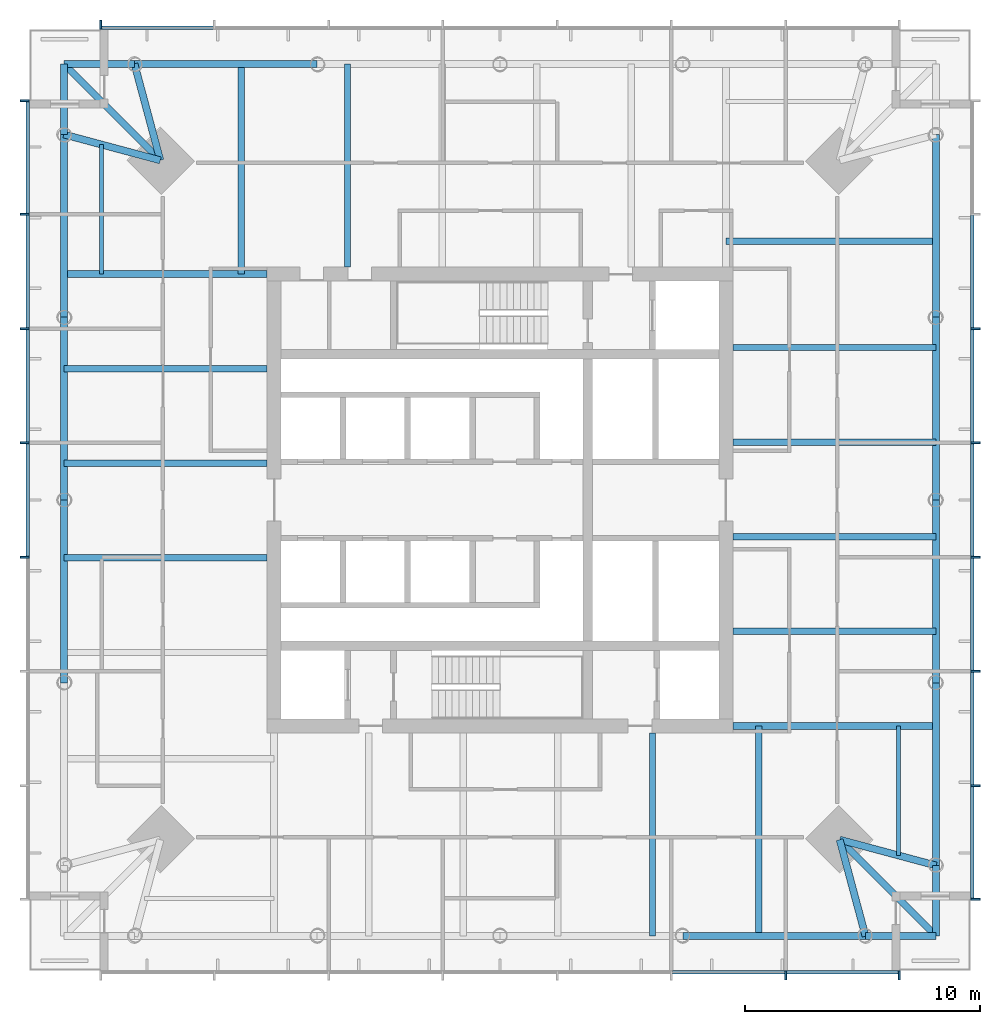
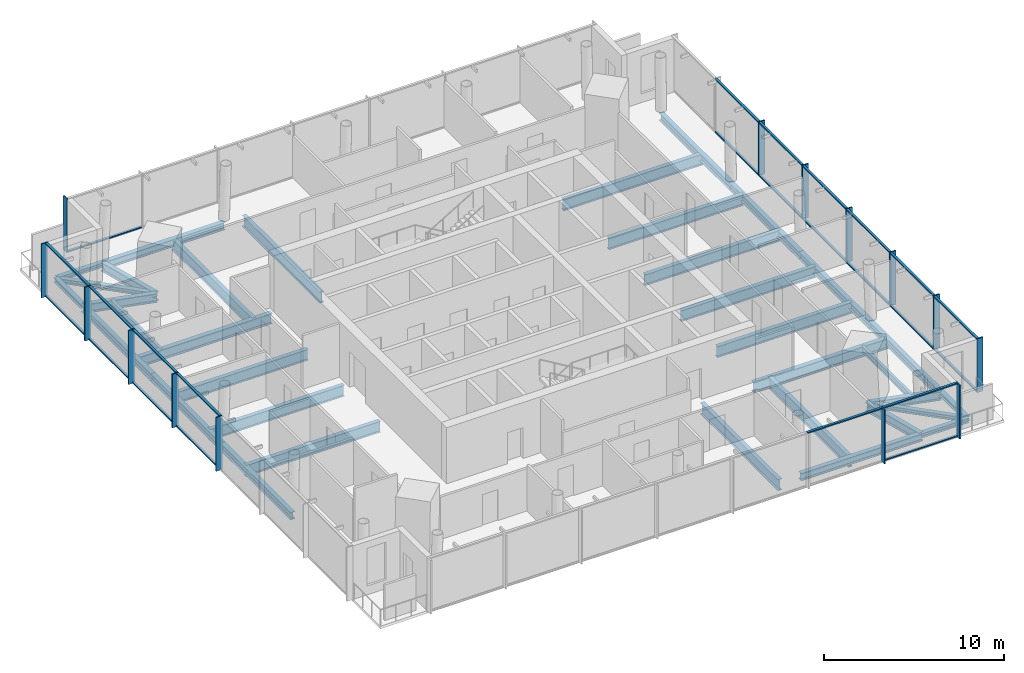
# One storey, part 2 of 9: 38 members, 35 beams, 4 elements without a shape of their own.
"""IFC4 building model written with IfcOpenShell, lengths in metres."""

from ifc_helpers import new_model, si_unit, direction, frame, origin, origin_2d, place, context, subcontext, project, spatial, rectangle, i_section, extrude, material, material_profile, profile_set, type_object, element, aggregate, save


model = new_model("IFC4")

# Units and contexts
model_context = context("Model", 3, precision=1e-05, world=origin(), true_north=direction((0.0, 1.0)))
body_context = subcontext(model_context, "Body", "Model", "MODEL_VIEW")
ifc_project = project(units=[si_unit("LENGTHUNIT", "METRE"), si_unit("AREAUNIT", "SQUARE_METRE"), si_unit("VOLUMEUNIT", "CUBIC_METRE"), si_unit("PLANEANGLEUNIT", "RADIAN"), si_unit("MASSUNIT", "GRAM", prefix="KILO")], contexts=[model_context])

# Site, building, storey
site_placement = place(None, origin())
site = spatial("IfcSite", under=ifc_project, at=site_placement, CompositionType="ELEMENT")
building_placement = place(site_placement, origin())
building = spatial("IfcBuilding", under=site, at=building_placement, Name="Ostroluk Exchange", CompositionType="ELEMENT")
storey_placement = place(building_placement, frame((0.0, 0.0, 192.0)))
storey = spatial("IfcBuildingStorey", under=building, at=storey_placement, Name="L49", CompositionType="ELEMENT", Elevation=192.0)

# Beams
ifc_material_1 = material(Name="Steel S355", Category="steel")
ifc_material_profile_1 = material_profile(ifc_material_1, i_section(OverallWidth=0.300048828125, OverallDepth=0.300048828125, WebThickness=0.010986328125, FlangeThickness=0.01904296875, FilletRadius=0.027099609375, at=origin_2d()), Name="HEB 300")
ifc_profile_set_1 = profile_set([ifc_material_profile_1], Name="Steel S355")
beam_type_1 = type_object("IfcBeamType", Name="Balcony beam HEB 300", PredefinedType="BEAM", material=ifc_profile_set_1)
for number, where, z_axis, x_axis, name in (
    (1, (29.46435546875, 64.53564453125, -0.330078125), (-1.0, 0.0, 0.0), (0.0, -1.0, 0.0), "T1 north balcony beam a"),
    (2, (26.46435546875, 61.53564453125, -0.330078125), (0.0, 1.0, 0.0), (-1.0, 0.0, 0.0), "T1 north balcony beam b"),
):
    element("IfcBeam", number, at=place(storey_placement, frame(where, z_axis=z_axis, x_axis=x_axis)), inside=storey, type_object=beam_type_1, Name=name, PredefinedType="BEAM", context=body_context, shape_type="SweptSolid", body=[
        extrude(i_section(OverallWidth=0.300048828125, OverallDepth=0.300048828125, WebThickness=0.010986328125, FlangeThickness=0.01904296875, FilletRadius=0.027099609375, at=origin_2d()), origin(), (0.0, 0.0, 1.0), 3.0),
    ])
beam_1_placement = place(storey_placement, frame((30.564208984375, 60.435791015625, -0.330078125), z_axis=(-0.707106781187, 0.707106781187, 0.0), x_axis=(-0.707106781187, -0.707106781187, 0.0)))
element("IfcBeam", 3, at=beam_1_placement, inside=storey, type_object=beam_type_1, Name="T1 north balcony beam c", PredefinedType="BEAM", context=body_context, shape_type="SweptSolid", body=[
    extrude(i_section(OverallWidth=0.300048828125, OverallDepth=0.300048828125, WebThickness=0.010986328125, FlangeThickness=0.01904296875, FilletRadius=0.027099609375, at=origin_2d()), origin(), (0.0, 0.0, 1.0), 5.798095703125),
])
for number, where, z_axis, x_axis, name in (
    (4, (60.53564453125, 27.46435546875, -0.330078125), (1.0, 0.0, 0.0), (0.0, 1.0, 0.0), "T1 south balcony beam a"),
    (5, (63.53564453125, 30.46435546875, -0.330078125), (0.0, -1.0, 0.0), (1.0, 0.0, 0.0), "T1 south balcony beam b"),
):
    element("IfcBeam", number, at=place(storey_placement, frame(where, z_axis=z_axis, x_axis=x_axis)), inside=storey, type_object=beam_type_1, Name=name, PredefinedType="BEAM", context=body_context, shape_type="SweptSolid", body=[
        extrude(i_section(OverallWidth=0.300048828125, OverallDepth=0.300048828125, WebThickness=0.010986328125, FlangeThickness=0.01904296875, FilletRadius=0.027099609375, at=origin_2d()), origin(), (0.0, 0.0, 1.0), 3.0),
    ])
beam_2_placement = place(storey_placement, frame((59.435791015625, 31.564208984375, -0.330078125), z_axis=(0.707106781187, -0.707106781187, 0.0), x_axis=(0.707106781187, 0.707106781187, 0.0)))
element("IfcBeam", 6, at=beam_2_placement, inside=storey, type_object=beam_type_1, Name="T1 south balcony beam c", PredefinedType="BEAM", context=body_context, shape_type="SweptSolid", body=[
    extrude(i_section(OverallWidth=0.300048828125, OverallDepth=0.300048828125, WebThickness=0.010986328125, FlangeThickness=0.01904296875, FilletRadius=0.027099609375, at=origin_2d()), origin(), (0.0, 0.0, 1.0), 5.798095703125),
])
ifc_material_2 = material(Name="Steel S355", Category="steel")
ifc_material_profile_2 = material_profile(ifc_material_2, i_section(OverallWidth=0.300048828125, OverallDepth=0.60009765625, WebThickness=0.015380859375, FlangeThickness=0.030029296875, FilletRadius=0.027099609375, at=origin_2d()), Name="HEB 600")
ifc_profile_set_2 = profile_set([ifc_material_profile_2], Name="Steel S355")
beam_type_2 = type_object("IfcBeamType", Name="Corner edge beam HEB 600", PredefinedType="SPANDREL", material=ifc_profile_set_2)
for number, where, z_axis, x_axis, name in (
    (7, (30.564208984375, 60.435791015625, -0.47998046875), (-0.259105011038, 0.965849156574, 0.0), (-0.965849156574, -0.259105011038, 0.0), "T1 north corner edge beam a"),
    (8, (30.564208984375, 60.435791015625, -0.47998046875), (-0.965849156574, 0.259105011038, 0.0), (-0.259105011038, -0.965849156574, 0.0), "T1 north corner edge beam b"),
    (9, (59.435791015625, 31.564208984375, -0.47998046875), (0.259105011038, -0.965849156574, 0.0), (0.965849156574, 0.259105011038, 0.0), "T1 south corner edge beam a"),
    (10, (59.435791015625, 31.564208984375, -0.47998046875), (0.965849156574, -0.259105011038, 0.0), (0.259105011038, 0.965849156574, 0.0), "T1 south corner edge beam b"),
):
    element("IfcBeam", number, at=place(storey_placement, frame(where, z_axis=z_axis, x_axis=x_axis)), inside=storey, type_object=beam_type_2, Name=name, PredefinedType="SPANDREL", context=body_context, shape_type="SweptSolid", body=[
        extrude(i_section(OverallWidth=0.300048828125, OverallDepth=0.60009765625, WebThickness=0.015380859375, FlangeThickness=0.030029296875, FilletRadius=0.027099609375, at=origin_2d()), origin(), (0.0, 0.0, 1.0), 4.244873046875),
    ])
ifc_material_3 = material(Name="Steel S355", Category="steel")
ifc_material_profile_3 = material_profile(ifc_material_3, i_section(OverallWidth=0.179931640625, OverallDepth=0.39990234375, WebThickness=0.008544921875, FlangeThickness=0.013427734375, FilletRadius=0.02099609375, at=origin_2d()), Name="IPE 400")
ifc_profile_set_3 = profile_set([ifc_material_profile_3], Name="Steel S355")
beam_type_3 = type_object("IfcBeamType", Name="Floor beam IPE 400", PredefinedType="BEAM", material=ifc_profile_set_3)
for number, where, z_axis, x_axis, name in (
    (11, (28.064208984375, 55.60009765625, -0.3798828125), (0.0, 1.0, 0.0), (-1.0, 0.0, 0.0), "T1 north floor beam 6"),
    (12, (61.935791015625, 36.39990234375, -0.3798828125), (0.0, -1.0, 0.0), (1.0, 0.0, 0.0), "T1 south floor beam 6"),
):
    element("IfcBeam", number, at=place(storey_placement, frame(where, z_axis=z_axis, x_axis=x_axis)), inside=storey, type_object=beam_type_3, Name=name, PredefinedType="BEAM", context=body_context, shape_type="SweptSolid", body=[
        extrude(i_section(OverallWidth=0.179931640625, OverallDepth=0.39990234375, WebThickness=0.008544921875, FlangeThickness=0.013427734375, FilletRadius=0.02099609375, at=origin_2d()), origin(), (0.0, 0.0, 1.0), 5.50634765625),
    ])
ifc_material_4 = material(Name="Steel S355", Category="steel")
ifc_material_profile_4 = material_profile(ifc_material_4, i_section(OverallWidth=0.264892578125, OverallDepth=0.7529296875, WebThickness=0.01318359375, FlangeThickness=0.01708984375, FilletRadius=0.01708984375, at=origin_2d()), Name="IPE 750x147")
ifc_profile_set_4 = profile_set([ifc_material_profile_4], Name="Steel S355")
beam_type_4 = type_object("IfcBeamType", Name="Floor beam IPE 750x147", PredefinedType="BEAM", material=ifc_profile_set_4)
for number, where, z_axis, x_axis, name in (
    (13, (54.89990234375, 40.41943359375, -0.556396484375), (1.0, 0.0, 0.0), (0.0, 1.0, 0.0), "T1 east floor beam 1"),
    (14, (54.89990234375, 44.438720703125, -0.556396484375), (1.0, 0.0, 0.0), (0.0, 1.0, 0.0), "T1 east floor beam 2"),
    (15, (54.89990234375, 48.458251953125, -0.556396484375), (1.0, 0.0, 0.0), (0.0, 1.0, 0.0), "T1 east floor beam 3"),
    (16, (54.89990234375, 52.4775390625, -0.556396484375), (1.0, 0.0, 0.0), (0.0, 1.0, 0.0), "T1 east floor beam 4"),
):
    element("IfcBeam", number, at=place(storey_placement, frame(where, z_axis=z_axis, x_axis=x_axis)), inside=storey, type_object=beam_type_4, Name=name, PredefinedType="BEAM", context=body_context, shape_type="SweptSolid", body=[
        extrude(i_section(OverallWidth=0.264892578125, OverallDepth=0.7529296875, WebThickness=0.01318359375, FlangeThickness=0.01708984375, FilletRadius=0.01708984375, at=origin_2d()), origin(), (0.0, 0.0, 1.0), 8.6357421875),
    ])
beam_3_placement = place(storey_placement, frame((54.60009765625, 57.0, -0.556396484375), z_axis=(1.0, 0.0, 0.0), x_axis=(0.0, 1.0, 0.0)))
element("IfcBeam", 17, at=beam_3_placement, inside=storey, type_object=beam_type_4, Name="T1 east floor beam 5", PredefinedType="BEAM", context=body_context, shape_type="SweptSolid", body=[
    extrude(i_section(OverallWidth=0.264892578125, OverallDepth=0.7529296875, WebThickness=0.01318359375, FlangeThickness=0.01708984375, FilletRadius=0.01708984375, at=origin_2d()), origin(), (0.0, 0.0, 1.0), 8.935546875),
])
beam_4_placement = place(storey_placement, frame((38.5224609375, 55.89990234375, -0.556396484375), z_axis=(0.0, 1.0, 0.0), x_axis=(-1.0, 0.0, 0.0)))
element("IfcBeam", 18, at=beam_4_placement, inside=storey, type_object=beam_type_4, Name="T1 north floor beam 4", PredefinedType="BEAM", context=body_context, shape_type="SweptSolid", body=[
    extrude(i_section(OverallWidth=0.264892578125, OverallDepth=0.7529296875, WebThickness=0.01318359375, FlangeThickness=0.01708984375, FilletRadius=0.01708984375, at=origin_2d()), origin(), (0.0, 0.0, 1.0), 8.6357421875),
])
beam_5_placement = place(storey_placement, frame((34.0, 55.60009765625, -0.556396484375), z_axis=(0.0, 1.0, 0.0), x_axis=(-1.0, 0.0, 0.0)))
element("IfcBeam", 19, at=beam_5_placement, inside=storey, type_object=beam_type_4, Name="T1 north floor beam 5", PredefinedType="BEAM", context=body_context, shape_type="SweptSolid", body=[
    extrude(i_section(OverallWidth=0.264892578125, OverallDepth=0.7529296875, WebThickness=0.01318359375, FlangeThickness=0.01708984375, FilletRadius=0.01708984375, at=origin_2d()), origin(), (0.0, 0.0, 1.0), 8.935546875),
])
for number, where, z_axis, x_axis, name in (
    (20, (35.10009765625, 51.58056640625, -0.556396484375), (-1.0, 0.0, 0.0), (0.0, -1.0, 0.0), "T1 west floor beam 1"),
    (21, (35.10009765625, 47.561279296875, -0.556396484375), (-1.0, 0.0, 0.0), (0.0, -1.0, 0.0), "T1 west floor beam 2"),
    (22, (35.10009765625, 43.541748046875, -0.556396484375), (-1.0, 0.0, 0.0), (0.0, -1.0, 0.0), "T1 west floor beam 3"),
    (23, (51.4775390625, 36.10009765625, -0.556396484375), (0.0, -1.0, 0.0), (1.0, 0.0, 0.0), "T1 south floor beam 4"),
):
    element("IfcBeam", number, at=place(storey_placement, frame(where, z_axis=z_axis, x_axis=x_axis)), inside=storey, type_object=beam_type_4, Name=name, PredefinedType="BEAM", context=body_context, shape_type="SweptSolid", body=[
        extrude(i_section(OverallWidth=0.264892578125, OverallDepth=0.7529296875, WebThickness=0.01318359375, FlangeThickness=0.01708984375, FilletRadius=0.01708984375, at=origin_2d()), origin(), (0.0, 0.0, 1.0), 8.6357421875),
    ])
beam_6_placement = place(storey_placement, frame((56.0, 36.39990234375, -0.556396484375), z_axis=(0.0, -1.0, 0.0), x_axis=(1.0, 0.0, 0.0)))
element("IfcBeam", 24, at=beam_6_placement, inside=storey, type_object=beam_type_4, Name="T1 south floor beam 5", PredefinedType="BEAM", context=body_context, shape_type="SweptSolid", body=[
    extrude(i_section(OverallWidth=0.264892578125, OverallDepth=0.7529296875, WebThickness=0.01318359375, FlangeThickness=0.01708984375, FilletRadius=0.01708984375, at=origin_2d()), origin(), (0.0, 0.0, 1.0), 8.935546875),
])
ifc_material_5 = material(Name="Steel S355", Category="steel")
ifc_material_profile_5 = material_profile(ifc_material_5, i_section(OverallWidth=0.300048828125, OverallDepth=0.699951171875, WebThickness=0.01708984375, FlangeThickness=0.031982421875, FilletRadius=0.027099609375, at=origin_2d()), Name="HEB 700")
ifc_profile_set_5 = profile_set([ifc_material_profile_5], Name="Steel S355")
beam_type_5 = type_object("IfcBeamType", Name="Girder HEB 700", PredefinedType="BEAM", material=ifc_profile_set_5)
for number, where, z_axis, x_axis, name in (
    (25, (35.10009765625, 55.60009765625, -0.530029296875), (-1.0, 0.0, 0.0), (0.0, -1.0, 0.0), "T1 north girder"),
    (26, (54.89990234375, 36.39990234375, -0.530029296875), (1.0, 0.0, 0.0), (0.0, 1.0, 0.0), "T1 south girder"),
):
    element("IfcBeam", number, at=place(storey_placement, frame(where, z_axis=z_axis, x_axis=x_axis)), inside=storey, type_object=beam_type_5, Name=name, PredefinedType="BEAM", context=body_context, shape_type="SweptSolid", body=[
        extrude(i_section(OverallWidth=0.300048828125, OverallDepth=0.699951171875, WebThickness=0.01708984375, FlangeThickness=0.031982421875, FilletRadius=0.027099609375, at=origin_2d()), origin(), (0.0, 0.0, 1.0), 8.6357421875),
    ])
ifc_material_6 = material(Name="Steel S355", Category="steel")
ifc_material_profile_6 = material_profile(ifc_material_6, i_section(OverallWidth=0.300048828125, OverallDepth=0.5, WebThickness=0.014404296875, FlangeThickness=0.028076171875, FilletRadius=0.027099609375, at=origin_2d()), Name="HEB 500")
ifc_profile_set_6 = profile_set([ifc_material_profile_6], Name="Steel S355")
beam_type_6 = type_object("IfcBeamType", Name="Moment-connected edge beam HEB 500", PredefinedType="SPANDREL", material=ifc_profile_set_6)
for number, where, z_axis, x_axis, name in (
    (27, (63.53564453125, 30.46435546875, -0.429931640625), (0.0, 1.0, 0.0), (-1.0, 0.0, 0.0), "T1 east edge beam 1"),
    (28, (63.53564453125, 38.232177734375, -0.429931640625), (0.0, 1.0, 0.0), (-1.0, 0.0, 0.0), "T1 east edge beam 2"),
    (29, (63.53564453125, 46.0, -0.429931640625), (0.0, 1.0, 0.0), (-1.0, 0.0, 0.0), "T1 east edge beam 3"),
    (30, (63.53564453125, 53.767822265625, -0.429931640625), (0.0, 1.0, 0.0), (-1.0, 0.0, 0.0), "T1 east edge beam 4"),
    (31, (37.232177734375, 64.53564453125, -0.429931640625), (-1.0, 0.0, 0.0), (0.0, -1.0, 0.0), "T1 north edge beam 4"),
    (32, (26.46435546875, 61.53564453125, -0.429931640625), (0.0, -1.0, 0.0), (1.0, 0.0, 0.0), "T1 west edge beam 1"),
    (33, (26.46435546875, 53.767822265625, -0.429931640625), (0.0, -1.0, 0.0), (1.0, 0.0, 0.0), "T1 west edge beam 2"),
    (34, (26.46435546875, 46.0, -0.429931640625), (0.0, -1.0, 0.0), (1.0, 0.0, 0.0), "T1 west edge beam 3"),
    (35, (52.767822265625, 27.46435546875, -0.429931640625), (1.0, 0.0, 0.0), (0.0, 1.0, 0.0), "T1 south edge beam 4"),
):
    element("IfcBeam", number, at=place(storey_placement, frame(where, z_axis=z_axis, x_axis=x_axis)), inside=storey, type_object=beam_type_6, Name=name, PredefinedType="SPANDREL", context=body_context, shape_type="SweptSolid", body=[
        extrude(i_section(OverallWidth=0.300048828125, OverallDepth=0.5, WebThickness=0.014404296875, FlangeThickness=0.028076171875, FilletRadius=0.027099609375, at=origin_2d()), origin(), (0.0, 0.0, 1.0), 7.767822265625),
    ])

# Curtain wall, members
ifc_material_7 = material(Name="Laminated clear glass", Category="glass")
curtain_wall_type = type_object("IfcCurtainWallType", Name="Office tower facade", PredefinedType="USERDEFINED", material=ifc_material_7)
curtain_wall_1_placement = place(storey_placement, origin())
curtain_wall_1 = element("IfcCurtainWall", 36, at=curtain_wall_1_placement, inside=storey, type_object=curtain_wall_type, Name="Office tower south facade L49", ObjectType="UNITISED CURTAIN WALL", PredefinedType="USERDEFINED")
ifc_material_8 = material(Name="Aluminium mullion", Category="aluminium")
ifc_material_profile_7 = material_profile(ifc_material_8, rectangle(XDim=0.14990234375, YDim=0.080078125, at=origin_2d()), Name="Sill transom 80 x 150")
ifc_profile_set_7 = profile_set([ifc_material_profile_7], Name="Aluminium mullion")
member_type_1 = type_object("IfcMemberType", Name="Sill transom 80 x 150", PredefinedType="USERDEFINED", material=ifc_profile_set_7)
member_1_placement = place(storey_placement, frame((52.32568359375, 25.925048828125, 3.610107421875), z_axis=(1.0, 0.0, 0.0), x_axis=(0.0, 1.0, 0.0)))
member_1 = element("IfcMember", 37, at=member_1_placement, type_object=member_type_1, Name="CW-O1 transom 6.2", ObjectType="TRANSOM", PredefinedType="USERDEFINED", context=body_context, shape_type="SweptSolid", body=[
    extrude(rectangle(XDim=0.14990234375, YDim=0.080078125, at=origin_2d()), origin(), (0.0, 0.0, 1.0), 4.777099609375),
])
member_2_placement = place(storey_placement, frame((57.182861328125, 25.925048828125, 0.0400390625), z_axis=(1.0, 0.0, 0.0), x_axis=(0.0, 1.0, 0.0)))
member_2 = element("IfcMember", 38, at=member_2_placement, type_object=member_type_1, Name="CW-O1 transom 7.1", ObjectType="TRANSOM", PredefinedType="USERDEFINED", context=body_context, shape_type="SweptSolid", body=[
    extrude(rectangle(XDim=0.14990234375, YDim=0.080078125, at=origin_2d()), origin(), (0.0, 0.0, 1.0), 4.737060546875),
])
member_3_placement = place(storey_placement, frame((57.182861328125, 25.925048828125, 3.610107421875), z_axis=(1.0, 0.0, 0.0), x_axis=(0.0, 1.0, 0.0)))
member_3 = element("IfcMember", 39, at=member_3_placement, type_object=member_type_1, Name="CW-O1 transom 7.2", ObjectType="TRANSOM", PredefinedType="USERDEFINED", context=body_context, shape_type="SweptSolid", body=[
    extrude(rectangle(XDim=0.14990234375, YDim=0.080078125, at=origin_2d()), origin(), (0.0, 0.0, 1.0), 4.737060546875),
])

curtain_wall_2_placement = place(storey_placement, origin())
curtain_wall_2 = element("IfcCurtainWall", 40, at=curtain_wall_2_placement, inside=storey, type_object=curtain_wall_type, Name="Office tower east facade L49", ObjectType="UNITISED CURTAIN WALL", PredefinedType="USERDEFINED")
member_4_placement = place(storey_placement, frame((65.074951171875, 29.080078125, 0.0400390625), z_axis=(0.0, 1.0, 0.0), x_axis=(-1.0, 0.0, 0.0)))
member_4 = element("IfcMember", 41, at=member_4_placement, type_object=member_type_1, Name="CW-O1 transom 1.1", ObjectType="TRANSOM", PredefinedType="USERDEFINED", context=body_context, shape_type="SweptSolid", body=[
    extrude(rectangle(XDim=0.14990234375, YDim=0.080078125, at=origin_2d()), origin(), (0.0, 0.0, 1.0), 4.737060546875),
])
member_5_placement = place(storey_placement, frame((65.074951171875, 29.080078125, 3.610107421875), z_axis=(0.0, 1.0, 0.0), x_axis=(-1.0, 0.0, 0.0)))
member_5 = element("IfcMember", 42, at=member_5_placement, type_object=member_type_1, Name="CW-O1 transom 1.2", ObjectType="TRANSOM", PredefinedType="USERDEFINED", context=body_context, shape_type="SweptSolid", body=[
    extrude(rectangle(XDim=0.14990234375, YDim=0.080078125, at=origin_2d()), origin(), (0.0, 0.0, 1.0), 4.737060546875),
])
member_6_placement = place(storey_placement, frame((65.074951171875, 33.897216796875, 0.0400390625), z_axis=(0.0, 1.0, 0.0), x_axis=(-1.0, 0.0, 0.0)))
member_6 = element("IfcMember", 43, at=member_6_placement, type_object=member_type_1, Name="CW-O1 transom 2.1", ObjectType="TRANSOM", PredefinedType="USERDEFINED", context=body_context, shape_type="SweptSolid", body=[
    extrude(rectangle(XDim=0.14990234375, YDim=0.080078125, at=origin_2d()), origin(), (0.0, 0.0, 1.0), 4.777099609375),
])
member_7_placement = place(storey_placement, frame((65.074951171875, 33.897216796875, 3.610107421875), z_axis=(0.0, 1.0, 0.0), x_axis=(-1.0, 0.0, 0.0)))
member_7 = element("IfcMember", 44, at=member_7_placement, type_object=member_type_1, Name="CW-O1 transom 2.2", ObjectType="TRANSOM", PredefinedType="USERDEFINED", context=body_context, shape_type="SweptSolid", body=[
    extrude(rectangle(XDim=0.14990234375, YDim=0.080078125, at=origin_2d()), origin(), (0.0, 0.0, 1.0), 4.777099609375),
])
member_8_placement = place(storey_placement, frame((65.074951171875, 38.75439453125, 0.0400390625), z_axis=(0.0, 1.0, 0.0), x_axis=(-1.0, 0.0, 0.0)))
member_8 = element("IfcMember", 45, at=member_8_placement, type_object=member_type_1, Name="CW-O1 transom 3.1", ObjectType="TRANSOM", PredefinedType="USERDEFINED", context=body_context, shape_type="SweptSolid", body=[
    extrude(rectangle(XDim=0.14990234375, YDim=0.080078125, at=origin_2d()), origin(), (0.0, 0.0, 1.0), 4.777099609375),
])
member_9_placement = place(storey_placement, frame((65.074951171875, 38.75439453125, 3.610107421875), z_axis=(0.0, 1.0, 0.0), x_axis=(-1.0, 0.0, 0.0)))
member_9 = element("IfcMember", 46, at=member_9_placement, type_object=member_type_1, Name="CW-O1 transom 3.2", ObjectType="TRANSOM", PredefinedType="USERDEFINED", context=body_context, shape_type="SweptSolid", body=[
    extrude(rectangle(XDim=0.14990234375, YDim=0.080078125, at=origin_2d()), origin(), (0.0, 0.0, 1.0), 4.777099609375),
])
member_10_placement = place(storey_placement, frame((65.074951171875, 43.611328125, 0.0400390625), z_axis=(0.0, 1.0, 0.0), x_axis=(-1.0, 0.0, 0.0)))
member_10 = element("IfcMember", 47, at=member_10_placement, type_object=member_type_1, Name="CW-O1 transom 4.1", ObjectType="TRANSOM", PredefinedType="USERDEFINED", context=body_context, shape_type="SweptSolid", body=[
    extrude(rectangle(XDim=0.14990234375, YDim=0.080078125, at=origin_2d()), origin(), (0.0, 0.0, 1.0), 4.77734375),
])
member_11_placement = place(storey_placement, frame((65.074951171875, 43.611328125, 3.610107421875), z_axis=(0.0, 1.0, 0.0), x_axis=(-1.0, 0.0, 0.0)))
member_11 = element("IfcMember", 48, at=member_11_placement, type_object=member_type_1, Name="CW-O1 transom 4.2", ObjectType="TRANSOM", PredefinedType="USERDEFINED", context=body_context, shape_type="SweptSolid", body=[
    extrude(rectangle(XDim=0.14990234375, YDim=0.080078125, at=origin_2d()), origin(), (0.0, 0.0, 1.0), 4.77734375),
])
member_12_placement = place(storey_placement, frame((65.074951171875, 48.468505859375, 0.0400390625), z_axis=(0.0, 1.0, 0.0), x_axis=(-1.0, 0.0, 0.0)))
member_12 = element("IfcMember", 49, at=member_12_placement, type_object=member_type_1, Name="CW-O1 transom 5.1", ObjectType="TRANSOM", PredefinedType="USERDEFINED", context=body_context, shape_type="SweptSolid", body=[
    extrude(rectangle(XDim=0.14990234375, YDim=0.080078125, at=origin_2d()), origin(), (0.0, 0.0, 1.0), 4.777099609375),
])
member_13_placement = place(storey_placement, frame((65.074951171875, 48.468505859375, 3.610107421875), z_axis=(0.0, 1.0, 0.0), x_axis=(-1.0, 0.0, 0.0)))
member_13 = element("IfcMember", 50, at=member_13_placement, type_object=member_type_1, Name="CW-O1 transom 5.2", ObjectType="TRANSOM", PredefinedType="USERDEFINED", context=body_context, shape_type="SweptSolid", body=[
    extrude(rectangle(XDim=0.14990234375, YDim=0.080078125, at=origin_2d()), origin(), (0.0, 0.0, 1.0), 4.777099609375),
])
member_14_placement = place(storey_placement, frame((65.074951171875, 53.32568359375, 0.0400390625), z_axis=(0.0, 1.0, 0.0), x_axis=(-1.0, 0.0, 0.0)))
member_14 = element("IfcMember", 51, at=member_14_placement, type_object=member_type_1, Name="CW-O1 transom 6.1", ObjectType="TRANSOM", PredefinedType="USERDEFINED", context=body_context, shape_type="SweptSolid", body=[
    extrude(rectangle(XDim=0.14990234375, YDim=0.080078125, at=origin_2d()), origin(), (0.0, 0.0, 1.0), 4.777099609375),
])
member_15_placement = place(storey_placement, frame((65.074951171875, 53.32568359375, 3.610107421875), z_axis=(0.0, 1.0, 0.0), x_axis=(-1.0, 0.0, 0.0)))
member_15 = element("IfcMember", 52, at=member_15_placement, type_object=member_type_1, Name="CW-O1 transom 6.2", ObjectType="TRANSOM", PredefinedType="USERDEFINED", context=body_context, shape_type="SweptSolid", body=[
    extrude(rectangle(XDim=0.14990234375, YDim=0.080078125, at=origin_2d()), origin(), (0.0, 0.0, 1.0), 4.777099609375),
])

# Curtain wall, member
curtain_wall_3_placement = place(storey_placement, origin())
curtain_wall_3 = element("IfcCurtainWall", 53, at=curtain_wall_3_placement, inside=storey, type_object=curtain_wall_type, Name="Office tower north facade L49", ObjectType="UNITISED CURTAIN WALL", PredefinedType="USERDEFINED")
member_16_placement = place(storey_placement, frame((32.817138671875, 66.074951171875, 0.0400390625), z_axis=(-1.0, 0.0, 0.0), x_axis=(0.0, -1.0, 0.0)))
member_16 = element("IfcMember", 54, at=member_16_placement, type_object=member_type_1, Name="CW-O1 transom 7.1", ObjectType="TRANSOM", PredefinedType="USERDEFINED", context=body_context, shape_type="SweptSolid", body=[
    extrude(rectangle(XDim=0.14990234375, YDim=0.080078125, at=origin_2d()), origin(), (0.0, 0.0, 1.0), 4.737060546875),
])

# Curtain wall, members
curtain_wall_4_placement = place(storey_placement, origin())
curtain_wall_4 = element("IfcCurtainWall", 55, at=curtain_wall_4_placement, inside=storey, type_object=curtain_wall_type, Name="Office tower west facade L49", ObjectType="UNITISED CURTAIN WALL", PredefinedType="USERDEFINED")
member_17_placement = place(storey_placement, frame((24.925048828125, 62.919921875, 0.0400390625), z_axis=(0.0, -1.0, 0.0), x_axis=(1.0, 0.0, 0.0)))
member_17 = element("IfcMember", 56, at=member_17_placement, type_object=member_type_1, Name="CW-O1 transom 1.1", ObjectType="TRANSOM", PredefinedType="USERDEFINED", context=body_context, shape_type="SweptSolid", body=[
    extrude(rectangle(XDim=0.14990234375, YDim=0.080078125, at=origin_2d()), origin(), (0.0, 0.0, 1.0), 4.737060546875),
])
member_18_placement = place(storey_placement, frame((24.925048828125, 62.919921875, 3.610107421875), z_axis=(0.0, -1.0, 0.0), x_axis=(1.0, 0.0, 0.0)))
member_18 = element("IfcMember", 57, at=member_18_placement, type_object=member_type_1, Name="CW-O1 transom 1.2", ObjectType="TRANSOM", PredefinedType="USERDEFINED", context=body_context, shape_type="SweptSolid", body=[
    extrude(rectangle(XDim=0.14990234375, YDim=0.080078125, at=origin_2d()), origin(), (0.0, 0.0, 1.0), 4.737060546875),
])
member_19_placement = place(storey_placement, frame((24.925048828125, 58.102783203125, 0.0400390625), z_axis=(0.0, -1.0, 0.0), x_axis=(1.0, 0.0, 0.0)))
member_19 = element("IfcMember", 58, at=member_19_placement, type_object=member_type_1, Name="CW-O1 transom 2.1", ObjectType="TRANSOM", PredefinedType="USERDEFINED", context=body_context, shape_type="SweptSolid", body=[
    extrude(rectangle(XDim=0.14990234375, YDim=0.080078125, at=origin_2d()), origin(), (0.0, 0.0, 1.0), 4.777099609375),
])
member_20_placement = place(storey_placement, frame((24.925048828125, 58.102783203125, 3.610107421875), z_axis=(0.0, -1.0, 0.0), x_axis=(1.0, 0.0, 0.0)))
member_20 = element("IfcMember", 59, at=member_20_placement, type_object=member_type_1, Name="CW-O1 transom 2.2", ObjectType="TRANSOM", PredefinedType="USERDEFINED", context=body_context, shape_type="SweptSolid", body=[
    extrude(rectangle(XDim=0.14990234375, YDim=0.080078125, at=origin_2d()), origin(), (0.0, 0.0, 1.0), 4.777099609375),
])
member_21_placement = place(storey_placement, frame((24.925048828125, 53.24560546875, 0.0400390625), z_axis=(0.0, -1.0, 0.0), x_axis=(1.0, 0.0, 0.0)))
member_21 = element("IfcMember", 60, at=member_21_placement, type_object=member_type_1, Name="CW-O1 transom 3.1", ObjectType="TRANSOM", PredefinedType="USERDEFINED", context=body_context, shape_type="SweptSolid", body=[
    extrude(rectangle(XDim=0.14990234375, YDim=0.080078125, at=origin_2d()), origin(), (0.0, 0.0, 1.0), 4.777099609375),
])
member_22_placement = place(storey_placement, frame((24.925048828125, 53.24560546875, 3.610107421875), z_axis=(0.0, -1.0, 0.0), x_axis=(1.0, 0.0, 0.0)))
member_22 = element("IfcMember", 61, at=member_22_placement, type_object=member_type_1, Name="CW-O1 transom 3.2", ObjectType="TRANSOM", PredefinedType="USERDEFINED", context=body_context, shape_type="SweptSolid", body=[
    extrude(rectangle(XDim=0.14990234375, YDim=0.080078125, at=origin_2d()), origin(), (0.0, 0.0, 1.0), 4.777099609375),
])
member_23_placement = place(storey_placement, frame((24.925048828125, 48.388671875, 0.0400390625), z_axis=(0.0, -1.0, 0.0), x_axis=(1.0, 0.0, 0.0)))
member_23 = element("IfcMember", 62, at=member_23_placement, type_object=member_type_1, Name="CW-O1 transom 4.1", ObjectType="TRANSOM", PredefinedType="USERDEFINED", context=body_context, shape_type="SweptSolid", body=[
    extrude(rectangle(XDim=0.14990234375, YDim=0.080078125, at=origin_2d()), origin(), (0.0, 0.0, 1.0), 4.77734375),
])
member_24_placement = place(storey_placement, frame((24.925048828125, 48.388671875, 3.610107421875), z_axis=(0.0, -1.0, 0.0), x_axis=(1.0, 0.0, 0.0)))
member_24 = element("IfcMember", 63, at=member_24_placement, type_object=member_type_1, Name="CW-O1 transom 4.2", ObjectType="TRANSOM", PredefinedType="USERDEFINED", context=body_context, shape_type="SweptSolid", body=[
    extrude(rectangle(XDim=0.14990234375, YDim=0.080078125, at=origin_2d()), origin(), (0.0, 0.0, 1.0), 4.77734375),
])

# Member
ifc_material_9 = material(Name="Aluminium mullion with limestone facing", Category="masonry")
ifc_material_profile_8 = material_profile(ifc_material_9, rectangle(XDim=0.39990234375, YDim=0.080078125, at=origin_2d()), Name="Tracery mullion 80 x 400")
ifc_profile_set_8 = profile_set([ifc_material_profile_8], Name="Aluminium mullion with limestone facing")
member_type_2 = type_object("IfcMemberType", Name="Tracery mullion 80 x 400", PredefinedType="MULLION", material=ifc_profile_set_8)
member_25_placement = place(storey_placement, frame((57.142822265625, 25.800048828125, 0.0), z_axis=(0.0, 0.0, 1.0), x_axis=(0.0, 1.0, 0.0)))
member_25 = element("IfcMember", 64, at=member_25_placement, type_object=member_type_2, Name="CW-O1 mullion 7", PredefinedType="MULLION", context=body_context, shape_type="SweptSolid", body=[
    extrude(rectangle(XDim=0.39990234375, YDim=0.080078125, at=origin_2d()), origin(), (0.0, 0.0, 1.0), 3.64990234375),
])

member_26_placement = place(storey_placement, frame((61.9599609375, 25.800048828125, 0.0), z_axis=(0.0, 0.0, 1.0), x_axis=(0.0, 1.0, 0.0)))
member_26 = element("IfcMember", 65, at=member_26_placement, type_object=member_type_2, Name="CW-O1 mullion 8", PredefinedType="MULLION", context=body_context, shape_type="SweptSolid", body=[
    extrude(rectangle(XDim=0.39990234375, YDim=0.080078125, at=origin_2d()), origin(), (0.0, 0.0, 1.0), 3.64990234375),
])

aggregate(curtain_wall_1, [member_25, member_26, member_1, member_2, member_3])

member_27_placement = place(storey_placement, frame((65.199951171875, 29.0400390625, 0.0), z_axis=(0.0, 0.0, 1.0), x_axis=(-1.0, 0.0, 0.0)))
member_27 = element("IfcMember", 66, at=member_27_placement, type_object=member_type_2, Name="CW-O1 mullion 1", PredefinedType="MULLION", context=body_context, shape_type="SweptSolid", body=[
    extrude(rectangle(XDim=0.39990234375, YDim=0.080078125, at=origin_2d()), origin(), (0.0, 0.0, 1.0), 3.64990234375),
])

member_28_placement = place(storey_placement, frame((65.199951171875, 33.857177734375, 0.0), z_axis=(0.0, 0.0, 1.0), x_axis=(-1.0, 0.0, 0.0)))
member_28 = element("IfcMember", 67, at=member_28_placement, type_object=member_type_2, Name="CW-O1 mullion 2", PredefinedType="MULLION", context=body_context, shape_type="SweptSolid", body=[
    extrude(rectangle(XDim=0.39990234375, YDim=0.080078125, at=origin_2d()), origin(), (0.0, 0.0, 1.0), 3.64990234375),
])

member_29_placement = place(storey_placement, frame((65.199951171875, 38.71435546875, 0.0), z_axis=(0.0, 0.0, 1.0), x_axis=(-1.0, 0.0, 0.0)))
member_29 = element("IfcMember", 68, at=member_29_placement, type_object=member_type_2, Name="CW-O1 mullion 3", PredefinedType="MULLION", context=body_context, shape_type="SweptSolid", body=[
    extrude(rectangle(XDim=0.39990234375, YDim=0.080078125, at=origin_2d()), origin(), (0.0, 0.0, 1.0), 3.64990234375),
])

member_30_placement = place(storey_placement, frame((65.199951171875, 43.571533203125, 0.0), z_axis=(0.0, 0.0, 1.0), x_axis=(-1.0, 0.0, 0.0)))
member_30 = element("IfcMember", 69, at=member_30_placement, type_object=member_type_2, Name="CW-O1 mullion 4", PredefinedType="MULLION", context=body_context, shape_type="SweptSolid", body=[
    extrude(rectangle(XDim=0.39990234375, YDim=0.080078125, at=origin_2d()), origin(), (0.0, 0.0, 1.0), 3.64990234375),
])

member_31_placement = place(storey_placement, frame((65.199951171875, 48.428466796875, 0.0), z_axis=(0.0, 0.0, 1.0), x_axis=(-1.0, 0.0, 0.0)))
member_31 = element("IfcMember", 70, at=member_31_placement, type_object=member_type_2, Name="CW-O1 mullion 5", PredefinedType="MULLION", context=body_context, shape_type="SweptSolid", body=[
    extrude(rectangle(XDim=0.39990234375, YDim=0.080078125, at=origin_2d()), origin(), (0.0, 0.0, 1.0), 3.64990234375),
])

member_32_placement = place(storey_placement, frame((65.199951171875, 53.28564453125, 0.0), z_axis=(0.0, 0.0, 1.0), x_axis=(-1.0, 0.0, 0.0)))
member_32 = element("IfcMember", 71, at=member_32_placement, type_object=member_type_2, Name="CW-O1 mullion 6", PredefinedType="MULLION", context=body_context, shape_type="SweptSolid", body=[
    extrude(rectangle(XDim=0.39990234375, YDim=0.080078125, at=origin_2d()), origin(), (0.0, 0.0, 1.0), 3.64990234375),
])

aggregate(curtain_wall_2, [member_27, member_28, member_29, member_30, member_31, member_32, member_4, member_5, member_6, member_7, member_8, member_9, member_10, member_11, member_12, member_13, member_14, member_15])

member_33_placement = place(storey_placement, frame((28.0400390625, 66.199951171875, 0.0), z_axis=(0.0, 0.0, 1.0), x_axis=(0.0, -1.0, 0.0)))
member_33 = element("IfcMember", 72, at=member_33_placement, type_object=member_type_2, Name="CW-O1 mullion 8", PredefinedType="MULLION", context=body_context, shape_type="SweptSolid", body=[
    extrude(rectangle(XDim=0.39990234375, YDim=0.080078125, at=origin_2d()), origin(), (0.0, 0.0, 1.0), 3.64990234375),
])

aggregate(curtain_wall_3, [member_33, member_16])

member_34_placement = place(storey_placement, frame((24.800048828125, 62.9599609375, 0.0), z_axis=(0.0, 0.0, 1.0), x_axis=(1.0, 0.0, 0.0)))
member_34 = element("IfcMember", 73, at=member_34_placement, type_object=member_type_2, Name="CW-O1 mullion 1", PredefinedType="MULLION", context=body_context, shape_type="SweptSolid", body=[
    extrude(rectangle(XDim=0.39990234375, YDim=0.080078125, at=origin_2d()), origin(), (0.0, 0.0, 1.0), 3.64990234375),
])

member_35_placement = place(storey_placement, frame((24.800048828125, 58.142822265625, 0.0), z_axis=(0.0, 0.0, 1.0), x_axis=(1.0, 0.0, 0.0)))
member_35 = element("IfcMember", 74, at=member_35_placement, type_object=member_type_2, Name="CW-O1 mullion 2", PredefinedType="MULLION", context=body_context, shape_type="SweptSolid", body=[
    extrude(rectangle(XDim=0.39990234375, YDim=0.080078125, at=origin_2d()), origin(), (0.0, 0.0, 1.0), 3.64990234375),
])

member_36_placement = place(storey_placement, frame((24.800048828125, 53.28564453125, 0.0), z_axis=(0.0, 0.0, 1.0), x_axis=(1.0, 0.0, 0.0)))
member_36 = element("IfcMember", 75, at=member_36_placement, type_object=member_type_2, Name="CW-O1 mullion 3", PredefinedType="MULLION", context=body_context, shape_type="SweptSolid", body=[
    extrude(rectangle(XDim=0.39990234375, YDim=0.080078125, at=origin_2d()), origin(), (0.0, 0.0, 1.0), 3.64990234375),
])

member_37_placement = place(storey_placement, frame((24.800048828125, 48.428466796875, 0.0), z_axis=(0.0, 0.0, 1.0), x_axis=(1.0, 0.0, 0.0)))
member_37 = element("IfcMember", 76, at=member_37_placement, type_object=member_type_2, Name="CW-O1 mullion 4", PredefinedType="MULLION", context=body_context, shape_type="SweptSolid", body=[
    extrude(rectangle(XDim=0.39990234375, YDim=0.080078125, at=origin_2d()), origin(), (0.0, 0.0, 1.0), 3.64990234375),
])

member_38_placement = place(storey_placement, frame((24.800048828125, 43.571533203125, 0.0), z_axis=(0.0, 0.0, 1.0), x_axis=(1.0, 0.0, 0.0)))
member_38 = element("IfcMember", 77, at=member_38_placement, type_object=member_type_2, Name="CW-O1 mullion 5", PredefinedType="MULLION", context=body_context, shape_type="SweptSolid", body=[
    extrude(rectangle(XDim=0.39990234375, YDim=0.080078125, at=origin_2d()), origin(), (0.0, 0.0, 1.0), 3.64990234375),
])

aggregate(curtain_wall_4, [member_34, member_35, member_36, member_37, member_38, member_17, member_18, member_19, member_20, member_21, member_22, member_23, member_24])

save(model, "model.ifc")
